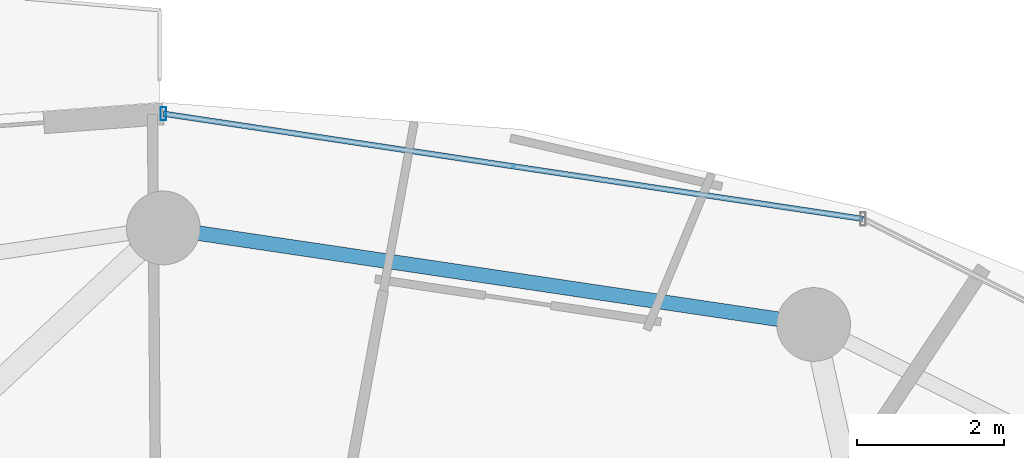
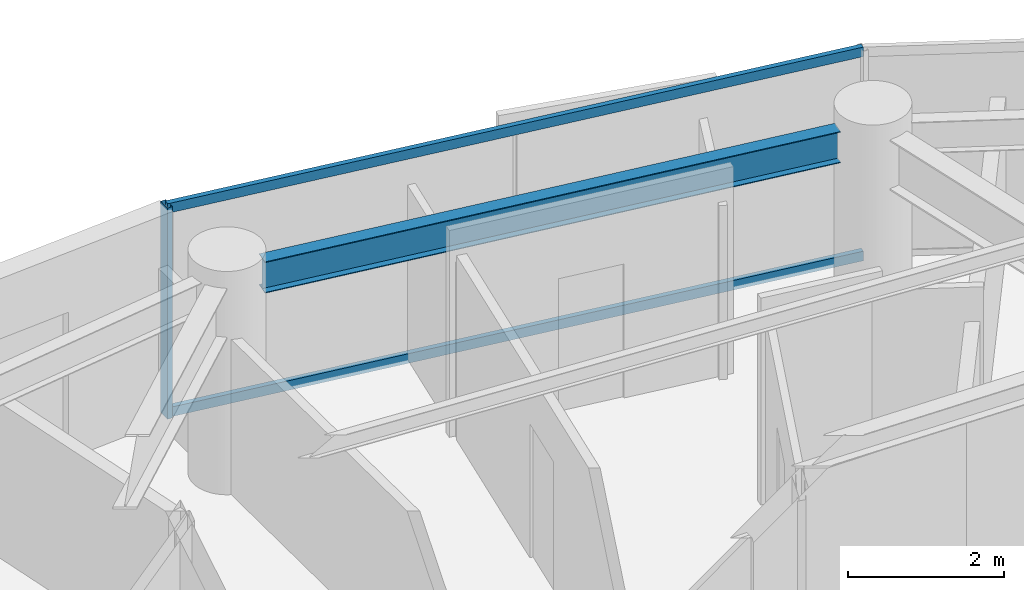
# One storey, part 18 of 30: 3 members, 1 beam, 1 element without a shape of its own.
"""IFC4 building model written with IfcOpenShell, lengths in metres."""

from ifc_helpers import new_model, si_unit, direction, frame, origin, origin_2d, place, context, subcontext, project, spatial, hollow_rectangle, i_section, extrude, material, material_profile, profile_set, type_object, element, aggregate, save


model = new_model("IFC4")

# Units and contexts
model_context = context("Model", 3, precision=1e-05, world=origin(), true_north=direction((0.0, 1.0)))
body_context = subcontext(model_context, "Body", "Model", "MODEL_VIEW")
ifc_project = project(units=[si_unit("LENGTHUNIT", "METRE"), si_unit("AREAUNIT", "SQUARE_METRE"), si_unit("VOLUMEUNIT", "CUBIC_METRE"), si_unit("PLANEANGLEUNIT", "RADIAN"), si_unit("MASSUNIT", "GRAM", prefix="KILO")], contexts=[model_context])

# Site, building, storey
site_placement = place(None, origin())
site = spatial("IfcSite", under=ifc_project, at=site_placement, CompositionType="ELEMENT")
building_placement = place(site_placement, origin())
building = spatial("IfcBuilding", under=site, at=building_placement, Name="Vorneva Point Tower", CompositionType="ELEMENT")
storey_placement = place(building_placement, frame((0.0, 0.0, 157.10009765625)))
storey = spatial("IfcBuildingStorey", under=building, at=storey_placement, Name="L42", CompositionType="ELEMENT", Elevation=157.10009765625)

# Beam
ifc_material_1 = material(Name="Steel S355", Category="steel")
ifc_material_profile_1 = material_profile(ifc_material_1, i_section(OverallWidth=0.199951171875, OverallDepth=0.491943359375, WebThickness=0.0087890625, FlangeThickness=0.011962890625, at=origin_2d()), Name="50B1")
ifc_profile_set_1 = profile_set([ifc_material_profile_1], Name="Steel S355")
beam_type = type_object("IfcBeamType", Name="BM-SPN-50B1", PredefinedType="SPANDREL", material=ifc_profile_set_1)
beam_placement = place(storey_placement, frame((46.34130859375, 41.9619140625, 2.993896484375), z_axis=(-0.989161199046, 0.146833655211, 0.0), x_axis=(-0.146833655211, -0.989161199046, 0.0)))
element("IfcBeam", 1, at=beam_placement, inside=storey, type_object=beam_type, Name="L42 Perimeter Spandrel Ring Beam 04", PredefinedType="SPANDREL", context=body_context, shape_type="SweptSolid", body=[
    extrude(i_section(OverallWidth=0.199951171875, OverallDepth=0.491943359375, WebThickness=0.0087890625, FlangeThickness=0.011962890625, at=origin_2d()), origin(), (0.0, 0.0, 1.0), 7.94775390625),
])

# Curtain wall, members
ifc_material_2 = material(Name="Pale anodised aluminium", Category="aluminium")
curtain_wall_type = type_object("IfcCurtainWallType", Name="CW-RES-SYS", PredefinedType="NOTDEFINED", material=ifc_material_2)
curtain_wall_placement = place(storey_placement, origin())
curtain_wall = element("IfcCurtainWall", 2, at=curtain_wall_placement, inside=storey, type_object=curtain_wall_type, Name="L42 Unitised Curtain Wall CW-L42-R02", PredefinedType="NOTDEFINED")
ifc_material_profile_2 = material_profile(ifc_material_2, hollow_rectangle(XDim=0.074951171875, YDim=0.179931640625, WallThickness=0.00390625, at=origin_2d()), Name="AL-MUL 180x75x4")
ifc_profile_set_2 = profile_set([ifc_material_profile_2], Name="Pale anodised aluminium")
member_type_1 = type_object("IfcMemberType", Name="CW-MUL-180", PredefinedType="MULLION", material=ifc_profile_set_2)
member_1_placement = place(storey_placement, frame((38.0, 44.75, -0.0400390625), z_axis=(0.0, 0.0, 1.0), x_axis=(1.0, 0.0, 0.0)))
member_1 = element("IfcMember", 3, at=member_1_placement, type_object=member_type_1, Name="CW-L42-R02 Mullion 03", PredefinedType="MULLION", context=body_context, shape_type="SweptSolid", body=[
    extrude(hollow_rectangle(XDim=0.074951171875, YDim=0.179931640625, WallThickness=0.00390625, at=origin_2d()), origin(), (0.0, 0.0, 1.0), 3.31005859375),
])
ifc_material_profile_3 = material_profile(ifc_material_2, hollow_rectangle(XDim=0.074951171875, YDim=0.14990234375, WallThickness=0.00390625, at=origin_2d()), Name="AL-TRN 150x75x4")
ifc_profile_set_3 = profile_set([ifc_material_profile_3], Name="Pale anodised aluminium")
member_type_2 = type_object("IfcMemberType", Name="CW-TRN-150", PredefinedType="USERDEFINED", material=ifc_profile_set_3)
member_2_placement = place(storey_placement, frame((47.490478515625, 43.32275390625, 0.02001953125), z_axis=(-0.988880117727, 0.148714870687, 0.0), x_axis=(-0.148714870687, -0.988880117727, 0.0)))
member_2 = element("IfcMember", 4, at=member_2_placement, type_object=member_type_2, Name="CW-L42-R02 Transom 02.1", ObjectType="TRANSOM", PredefinedType="USERDEFINED", context=body_context, shape_type="SweptSolid", body=[
    extrude(hollow_rectangle(XDim=0.074951171875, YDim=0.14990234375, WallThickness=0.00390625, at=origin_2d()), origin(), (0.0, 0.0, 1.0), 9.59716796875),
])
member_3_placement = place(storey_placement, frame((47.490478515625, 43.32275390625, 3.219970703125), z_axis=(-0.988880117727, 0.148714870687, 0.0), x_axis=(-0.148714870687, -0.988880117727, 0.0)))
member_3 = element("IfcMember", 5, at=member_3_placement, type_object=member_type_2, Name="CW-L42-R02 Transom 02.2", ObjectType="TRANSOM", PredefinedType="USERDEFINED", context=body_context, shape_type="SweptSolid", body=[
    extrude(hollow_rectangle(XDim=0.074951171875, YDim=0.14990234375, WallThickness=0.00390625, at=origin_2d()), origin(), (0.0, 0.0, 1.0), 9.59716796875),
])
aggregate(curtain_wall, [member_1, member_2, member_3])

save(model, "model.ifc")
